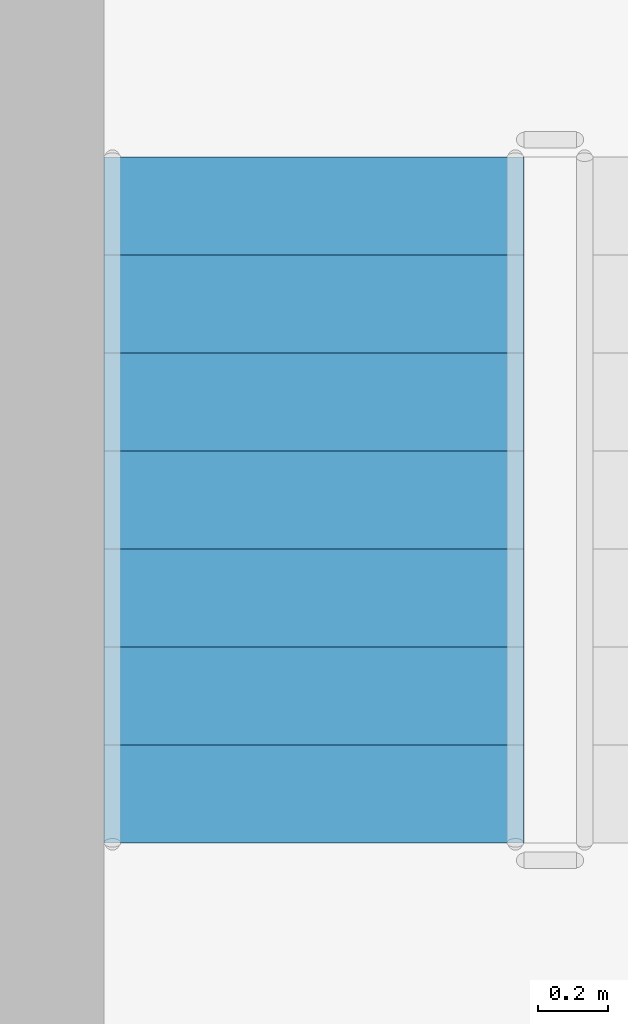
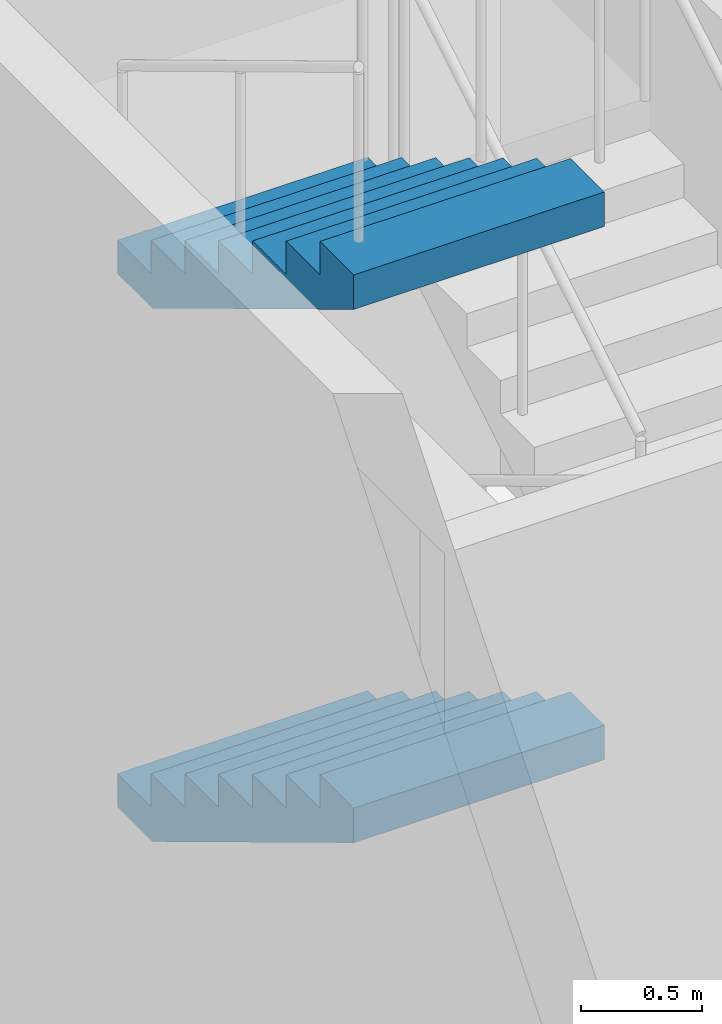
# One storey, part 47 of 101: 2 stair flights, 1 element without a shape of its own.
"""IFC4 building model written with IfcOpenShell, lengths in metres."""

from ifc_helpers import new_model, si_unit, direction, frame, origin, place, context, subcontext, project, spatial, triangles, material, type_object, element, aggregate, save


model = new_model("IFC4")

# Units and contexts
model_context = context("Model", 3, precision=1e-05, world=origin(), true_north=direction((0.0, 1.0)))
body_context = subcontext(model_context, "Body", "Model", "MODEL_VIEW")
ifc_project = project(units=[si_unit("LENGTHUNIT", "METRE"), si_unit("AREAUNIT", "SQUARE_METRE"), si_unit("VOLUMEUNIT", "CUBIC_METRE"), si_unit("PLANEANGLEUNIT", "RADIAN"), si_unit("MASSUNIT", "GRAM", prefix="KILO")], contexts=[model_context])

# Site, building, storey
site_placement = place(None, origin())
site = spatial("IfcSite", under=ifc_project, at=site_placement, CompositionType="ELEMENT")
building_placement = place(site_placement, origin())
building = spatial("IfcBuilding", under=site, at=building_placement, Name="Magnolia Steps Interchange", CompositionType="ELEMENT")
storey_placement = place(building_placement, frame((0.0, 0.0, -5.39990234375)))
storey = spatial("IfcBuildingStorey", under=building, at=storey_placement, Name="B1", CompositionType="ELEMENT", Elevation=-5.39990234375)

# Stair, stair flights
ifc_material_1 = material(Name="Concrete C40", Category="concrete")
stair_type = type_object("IfcStairType", Name="Exit stair 1200", PredefinedType="HALF_TURN_STAIR", material=ifc_material_1)
stair_placement = place(storey_placement, origin())
stair = element("IfcStair", 1, at=stair_placement, inside=storey, type_object=stair_type, Name="B1 Stair 19", PredefinedType="HALF_TURN_STAIR")
ifc_material_2 = material(Name="Concrete C40", Category="concrete")
stair_flight_type = type_object("IfcStairFlightType", Name="Exit stair flight", PredefinedType="STRAIGHT", material=ifc_material_2)
stair_flight_1_placement = place(storey_placement, frame((86.699951171875, 40.659912109375, 1.349853515625), z_axis=(0.0, 0.0, 1.0), x_axis=(0.0, -1.0, 0.0)))
stair_flight_1 = element("IfcStairFlight", 2, at=stair_flight_1_placement, type_object=stair_flight_type, Name="Stair 19 flight 2", NumberOfRisers=8, NumberOfTreads=7, PredefinedType="STRAIGHT", RiserHeight=0.16875, TreadLength=0.28, context=body_context, shape_type="Tessellation", body=[
    triangles([(0.0, -0.5999755859375, 0.0), (0.29052734375, -0.5999755859375, 0.0), (1.9599609375, -0.5999755859375, 1.00634765625), (1.9599609375, -0.5999755859375, 1.18115234375), (1.679931640625, -0.5999755859375, 1.18115234375), (1.679931640625, -0.5999755859375, 1.012451171875), (1.39990234375, -0.5999755859375, 1.012451171875), (1.39990234375, -0.5999755859375, 0.84375), (1.1201171875, -0.5999755859375, 0.84375), (1.1201171875, -0.5999755859375, 0.675048828125), (0.840087890625, -0.5999755859375, 0.675048828125), (0.840087890625, -0.5999755859375, 0.50634765625), (0.56005859375, -0.5999755859375, 0.50634765625), (0.56005859375, -0.5999755859375, 0.33740234375), (0.280029296875, -0.5999755859375, 0.33740234375), (0.280029296875, -0.5999755859375, 0.168701171875), (0.0, -0.5999755859375, 0.168701171875), (0.0, 0.5999755859375, 0.0), (0.29052734375, 0.5999755859375, 0.0), (1.9599609375, 0.5999755859375, 1.00634765625), (1.9599609375, 0.5999755859375, 1.18115234375), (1.679931640625, 0.5999755859375, 1.18115234375), (1.679931640625, 0.5999755859375, 1.012451171875), (1.39990234375, 0.5999755859375, 1.012451171875), (1.39990234375, 0.5999755859375, 0.84375), (1.1201171875, 0.5999755859375, 0.84375), (1.1201171875, 0.5999755859375, 0.675048828125), (0.840087890625, 0.5999755859375, 0.675048828125), (0.840087890625, 0.5999755859375, 0.50634765625), (0.56005859375, 0.5999755859375, 0.50634765625), (0.56005859375, 0.5999755859375, 0.33740234375), (0.280029296875, 0.5999755859375, 0.33740234375), (0.280029296875, 0.5999755859375, 0.168701171875), (0.0, 0.5999755859375, 0.168701171875), (0.0, 0.0, 0.0), (0.0, 0.0, 0.04217529296875), (0.0, 0.0, 0.0843505859375), (0.0, 0.0, 0.12652587890625), (0.0, 0.0, 0.168701171875), (0.0, -0.05, 0.0), (0.0, -0.05, 0.168701171875), (0.0, 0.05, 0.0), (0.0, 0.05, 0.168701171875), (0.046671549479166664, 0.0, 0.168701171875), (0.09334309895833333, 0.0, 0.168701171875), (0.1400146484375, 0.0, 0.168701171875), (0.18668619791666666, 0.0, 0.168701171875), (0.23335774739583334, 0.0, 0.168701171875), (0.280029296875, 0.0, 0.168701171875), (0.280029296875, -0.05, 0.168701171875), (0.280029296875, 0.05, 0.168701171875), (0.280029296875, 0.0, 0.21087646484375), (0.280029296875, 0.0, 0.2530517578125), (0.280029296875, 0.0, 0.29522705078125), (0.280029296875, 0.0, 0.33740234375), (0.280029296875, -0.05, 0.33740234375), (0.280029296875, 0.05, 0.33740234375), (0.3267008463541667, 0.0, 0.33740234375), (0.3733723958333333, 0.0, 0.33740234375), (0.4200439453125, 0.0, 0.33740234375), (0.46671549479166663, 0.0, 0.33740234375), (0.5133870442708334, 0.0, 0.33740234375), (0.56005859375, 0.0, 0.33740234375), (0.56005859375, -0.05, 0.33740234375), (0.56005859375, 0.05, 0.33740234375), (0.56005859375, 0.0, 0.379638671875), (0.56005859375, 0.0, 0.421875), (0.56005859375, 0.0, 0.464111328125), (0.56005859375, 0.0, 0.50634765625), (0.56005859375, -0.05, 0.50634765625), (0.56005859375, 0.05, 0.50634765625), (0.6067301432291666, 0.0, 0.50634765625), (0.6534016927083334, 0.0, 0.50634765625), (0.7000732421875, 0.0, 0.50634765625), (0.7467447916666666, 0.0, 0.50634765625), (0.7934163411458334, 0.0, 0.50634765625), (0.840087890625, 0.0, 0.50634765625), (0.840087890625, -0.05, 0.50634765625), (0.840087890625, 0.05, 0.50634765625), (0.840087890625, 0.0, 0.54852294921875), (0.840087890625, 0.0, 0.5906982421875), (0.840087890625, 0.0, 0.63287353515625), (0.840087890625, 0.0, 0.675048828125), (0.840087890625, -0.05, 0.675048828125), (0.840087890625, 0.05, 0.675048828125), (0.8867594401041666, 0.0, 0.675048828125), (0.9334309895833334, 0.0, 0.675048828125), (0.9801025390625, 0.0, 0.675048828125), (1.0267740885416667, 0.0, 0.675048828125), (1.0734456380208333, 0.0, 0.675048828125), (1.1201171875, 0.0, 0.675048828125), (1.1201171875, -0.05, 0.675048828125), (1.1201171875, 0.05, 0.675048828125), (1.1201171875, 0.0, 0.71722412109375), (1.1201171875, 0.0, 0.7593994140625), (1.1201171875, 0.0, 0.80157470703125), (1.1201171875, 0.0, 0.84375), (1.1201171875, -0.05, 0.84375), (1.1201171875, 0.05, 0.84375), (1.1900634765625, 0.0, 0.84375), (1.260009765625, 0.0, 0.84375), (1.3299560546875, 0.0, 0.84375), (1.39990234375, 0.0, 0.84375), (1.39990234375, -0.05, 0.84375), (1.39990234375, 0.05, 0.84375), (1.39990234375, 0.0, 0.88592529296875), (1.39990234375, 0.0, 0.9281005859375), (1.39990234375, 0.0, 0.97027587890625), (1.39990234375, 0.0, 1.012451171875), (1.39990234375, -0.05, 1.012451171875), (1.39990234375, 0.05, 1.012451171875), (1.4465738932291667, 0.0, 1.012451171875), (1.4932454427083333, 0.0, 1.012451171875), (1.5399169921875, 0.0, 1.012451171875), (1.5865885416666667, 0.0, 1.012451171875), (1.6332600911458333, 0.0, 1.012451171875), (1.679931640625, 0.0, 1.012451171875), (1.679931640625, -0.05, 1.012451171875), (1.679931640625, 0.05, 1.012451171875), (1.679931640625, 0.0, 1.05462646484375), (1.679931640625, 0.0, 1.0968017578125), (1.679931640625, 0.0, 1.13897705078125), (1.679931640625, 0.0, 1.18115234375), (1.679931640625, -0.05, 1.18115234375), (1.679931640625, 0.05, 1.18115234375), (1.7266031901041667, 0.0, 1.18115234375), (1.7732747395833333, 0.0, 1.18115234375), (1.8199462890625, 0.0, 1.18115234375), (1.8666178385416667, 0.0, 1.18115234375), (1.9132893880208333, 0.0, 1.18115234375), (1.9599609375, 0.0, 1.18115234375), (1.9599609375, -0.05, 1.18115234375), (1.9599609375, 0.05, 1.18115234375), (1.9599609375, 0.0, 1.137451171875), (1.9599609375, 0.0, 1.09375), (1.9599609375, 0.0, 1.050048828125), (1.9599609375, 0.0, 1.00634765625), (1.9599609375, -0.05, 1.00634765625), (1.9599609375, 0.05, 1.00634765625), (1.9003383091517858, 0.0, 0.9704066685267857), (1.8407156808035714, 0.0, 0.9344656808035714), (1.7810930524553572, 0.0, 0.8985246930803571), (1.7214704241071428, 0.0, 0.8625837053571428), (1.6618477957589286, 0.0, 0.8266427176339286), (1.6022251674107144, 0.0, 0.7907017299107143), (1.5426025390625, 0.0, 0.7547607421875), (1.4829799107142856, 0.0, 0.7188197544642857), (1.4233572823660714, 0.0, 0.6828787667410714), (1.3637346540178572, 0.0, 0.6469377790178572), (1.3041120256696428, 0.0, 0.6109967912946428), (1.2444893973214286, 0.0, 0.5750558035714286), (1.1848667689732144, 0.0, 0.5391148158482143), (1.125244140625, 0.0, 0.503173828125), (1.0656215122767856, 0.0, 0.4672328404017857), (1.0059988839285714, 0.0, 0.4312918526785714), (0.9463762555803572, 0.0, 0.3953508649553571), (0.8867536272321428, 0.0, 0.3594098772321429), (0.8271309988839286, 0.0, 0.3234688895089286), (0.7675083705357142, 0.0, 0.2875279017857143), (0.7078857421875, 0.0, 0.2515869140625), (0.6482631138392858, 0.0, 0.2156459263392857), (0.5886404854910714, 0.0, 0.1797049386160714), (0.5290178571428572, 0.0, 0.1437639508928571), (0.4693952287946428, 0.0, 0.1078229631696429), (0.4097726004464286, 0.0, 0.0718819754464286), (0.3501499720982142, 0.0, 0.0359409877232143), (0.29052734375, 0.0, 0.0), (0.29052734375, -0.05, 0.0), (0.29052734375, 0.05, 0.0), (0.24210611979166666, 0.0, 0.0), (0.19368489583333331, 0.0, 0.0), (0.145263671875, 0.0, 0.0), (0.09684244791666666, 0.0, 0.0), (0.04842122395833334, 0.0, 0.0)], [[1, 2, 3], [3, 4, 5], [3, 5, 6], [3, 6, 7], [3, 7, 8], [8, 9, 10], [3, 8, 10], [10, 11, 12], [3, 10, 12], [12, 13, 14], [3, 12, 14], [14, 15, 16], [3, 14, 16], [1, 3, 16], [16, 17, 1], [18, 20, 19], [20, 22, 21], [20, 23, 22], [20, 24, 23], [20, 25, 24], [25, 27, 26], [20, 27, 25], [27, 29, 28], [20, 29, 27], [29, 31, 30], [20, 31, 29], [31, 33, 32], [20, 33, 31], [18, 33, 20], [33, 18, 34], [1, 17, 41], [1, 41, 40], [40, 36, 35], [40, 37, 36], [40, 41, 37], [41, 38, 37], [41, 39, 38], [18, 43, 34], [18, 42, 43], [42, 35, 36], [42, 36, 37], [42, 37, 43], [43, 37, 38], [43, 38, 39], [17, 16, 50], [17, 50, 41], [41, 44, 39], [41, 45, 44], [41, 46, 45], [41, 50, 46], [50, 47, 46], [50, 48, 47], [50, 49, 48], [34, 51, 33], [34, 43, 51], [43, 39, 44], [43, 44, 45], [43, 45, 46], [43, 46, 51], [51, 46, 47], [51, 47, 48], [51, 48, 49], [16, 15, 56], [16, 56, 50], [50, 52, 49], [50, 53, 52], [50, 56, 53], [56, 54, 53], [56, 55, 54], [33, 57, 32], [33, 51, 57], [51, 49, 52], [51, 52, 53], [51, 53, 57], [57, 53, 54], [57, 54, 55], [15, 14, 64], [15, 64, 56], [56, 58, 55], [56, 59, 58], [56, 60, 59], [56, 64, 60], [64, 61, 60], [64, 62, 61], [64, 63, 62], [32, 65, 31], [32, 57, 65], [57, 55, 58], [57, 58, 59], [57, 59, 60], [57, 60, 65], [65, 60, 61], [65, 61, 62], [65, 62, 63], [14, 13, 70], [14, 70, 64], [64, 66, 63], [64, 67, 66], [64, 70, 67], [70, 68, 67], [70, 69, 68], [31, 71, 30], [31, 65, 71], [65, 63, 66], [65, 66, 67], [65, 67, 71], [71, 67, 68], [71, 68, 69], [13, 12, 78], [13, 78, 70], [70, 72, 69], [70, 73, 72], [70, 74, 73], [70, 78, 74], [78, 75, 74], [78, 76, 75], [78, 77, 76], [30, 79, 29], [30, 71, 79], [71, 69, 72], [71, 72, 73], [71, 73, 74], [71, 74, 79], [79, 74, 75], [79, 75, 76], [79, 76, 77], [12, 11, 84], [12, 84, 78], [78, 80, 77], [78, 81, 80], [78, 84, 81], [84, 82, 81], [84, 83, 82], [29, 85, 28], [29, 79, 85], [79, 77, 80], [79, 80, 81], [79, 81, 85], [85, 81, 82], [85, 82, 83], [11, 10, 92], [11, 92, 84], [84, 86, 83], [84, 87, 86], [84, 88, 87], [84, 92, 88], [92, 89, 88], [92, 90, 89], [92, 91, 90], [28, 93, 27], [28, 85, 93], [85, 83, 86], [85, 86, 87], [85, 87, 88], [85, 88, 93], [93, 88, 89], [93, 89, 90], [93, 90, 91], [10, 9, 98], [10, 98, 92], [92, 94, 91], [92, 95, 94], [92, 98, 95], [98, 96, 95], [98, 97, 96], [27, 99, 26], [27, 93, 99], [93, 91, 94], [93, 94, 95], [93, 95, 99], [99, 95, 96], [99, 96, 97], [9, 8, 104], [9, 104, 98], [98, 100, 97], [98, 101, 100], [98, 104, 101], [104, 102, 101], [104, 103, 102], [26, 105, 25], [26, 99, 105], [99, 97, 100], [99, 100, 101], [99, 101, 105], [105, 101, 102], [105, 102, 103], [8, 7, 110], [8, 110, 104], [104, 106, 103], [104, 107, 106], [104, 110, 107], [110, 108, 107], [110, 109, 108], [25, 111, 24], [25, 105, 111], [105, 103, 106], [105, 106, 107], [105, 107, 111], [111, 107, 108], [111, 108, 109], [7, 6, 118], [7, 118, 110], [110, 112, 109], [110, 113, 112], [110, 114, 113], [110, 118, 114], [118, 115, 114], [118, 116, 115], [118, 117, 116], [24, 119, 23], [24, 111, 119], [111, 109, 112], [111, 112, 113], [111, 113, 114], [111, 114, 119], [119, 114, 115], [119, 115, 116], [119, 116, 117], [6, 5, 124], [6, 124, 118], [118, 120, 117], [118, 121, 120], [118, 124, 121], [124, 122, 121], [124, 123, 122], [23, 125, 22], [23, 119, 125], [119, 117, 120], [119, 120, 121], [119, 121, 125], [125, 121, 122], [125, 122, 123], [5, 4, 132], [5, 132, 124], [124, 126, 123], [124, 127, 126], [124, 128, 127], [124, 132, 128], [132, 129, 128], [132, 130, 129], [132, 131, 130], [22, 133, 21], [22, 125, 133], [125, 123, 126], [125, 126, 127], [125, 127, 128], [125, 128, 133], [133, 128, 129], [133, 129, 130], [133, 130, 131], [4, 3, 138], [4, 138, 132], [132, 134, 131], [132, 135, 134], [132, 138, 135], [138, 136, 135], [138, 137, 136], [21, 139, 20], [21, 133, 139], [133, 131, 134], [133, 134, 135], [133, 135, 139], [139, 135, 136], [139, 136, 137], [3, 2, 168], [3, 168, 138], [138, 140, 137], [138, 141, 140], [138, 142, 141], [138, 143, 142], [138, 144, 143], [138, 145, 144], [138, 146, 145], [138, 147, 146], [138, 148, 147], [138, 149, 148], [138, 150, 149], [138, 151, 150], [138, 152, 151], [138, 153, 152], [138, 168, 153], [168, 154, 153], [168, 155, 154], [168, 156, 155], [168, 157, 156], [168, 158, 157], [168, 159, 158], [168, 160, 159], [168, 161, 160], [168, 162, 161], [168, 163, 162], [168, 164, 163], [168, 165, 164], [168, 166, 165], [168, 167, 166], [20, 169, 19], [20, 139, 169], [139, 137, 140], [139, 140, 141], [139, 141, 142], [139, 142, 143], [139, 143, 144], [139, 144, 145], [139, 145, 146], [139, 146, 147], [139, 147, 148], [139, 148, 149], [139, 149, 150], [139, 150, 151], [139, 151, 152], [139, 152, 153], [139, 153, 169], [169, 153, 154], [169, 154, 155], [169, 155, 156], [169, 156, 157], [169, 157, 158], [169, 158, 159], [169, 159, 160], [169, 160, 161], [169, 161, 162], [169, 162, 163], [169, 163, 164], [169, 164, 165], [169, 165, 166], [169, 166, 167], [2, 1, 40], [2, 40, 168], [168, 170, 167], [168, 171, 170], [168, 172, 171], [168, 40, 172], [40, 173, 172], [40, 174, 173], [40, 35, 174], [19, 42, 18], [19, 169, 42], [169, 167, 170], [169, 170, 171], [169, 171, 172], [169, 172, 42], [42, 172, 173], [42, 173, 174], [42, 174, 35]], closed=True),
])
stair_flight_2_placement = place(storey_placement, frame((86.699951171875, 40.659912109375, 4.0498046875), z_axis=(0.0, 0.0, 1.0), x_axis=(0.0, -1.0, 0.0)))
stair_flight_2 = element("IfcStairFlight", 3, at=stair_flight_2_placement, type_object=stair_flight_type, Name="Stair 19 flight 4", NumberOfRisers=8, NumberOfTreads=7, PredefinedType="STRAIGHT", RiserHeight=0.16875, TreadLength=0.28, context=body_context, shape_type="Tessellation", body=[
    triangles([(0.0, -0.5999755859375, 0.0), (0.29052734375, -0.5999755859375, 0.0), (1.9599609375, -0.5999755859375, 1.00634765625), (1.9599609375, -0.5999755859375, 1.18115234375), (1.679931640625, -0.5999755859375, 1.18115234375), (1.679931640625, -0.5999755859375, 1.012451171875), (1.39990234375, -0.5999755859375, 1.012451171875), (1.39990234375, -0.5999755859375, 0.84375), (1.1201171875, -0.5999755859375, 0.84375), (1.1201171875, -0.5999755859375, 0.675048828125), (0.840087890625, -0.5999755859375, 0.675048828125), (0.840087890625, -0.5999755859375, 0.50634765625), (0.56005859375, -0.5999755859375, 0.50634765625), (0.56005859375, -0.5999755859375, 0.33740234375), (0.280029296875, -0.5999755859375, 0.33740234375), (0.280029296875, -0.5999755859375, 0.168701171875), (0.0, -0.5999755859375, 0.168701171875), (0.0, 0.5999755859375, 0.0), (0.29052734375, 0.5999755859375, 0.0), (1.9599609375, 0.5999755859375, 1.00634765625), (1.9599609375, 0.5999755859375, 1.18115234375), (1.679931640625, 0.5999755859375, 1.18115234375), (1.679931640625, 0.5999755859375, 1.012451171875), (1.39990234375, 0.5999755859375, 1.012451171875), (1.39990234375, 0.5999755859375, 0.84375), (1.1201171875, 0.5999755859375, 0.84375), (1.1201171875, 0.5999755859375, 0.675048828125), (0.840087890625, 0.5999755859375, 0.675048828125), (0.840087890625, 0.5999755859375, 0.50634765625), (0.56005859375, 0.5999755859375, 0.50634765625), (0.56005859375, 0.5999755859375, 0.33740234375), (0.280029296875, 0.5999755859375, 0.33740234375), (0.280029296875, 0.5999755859375, 0.168701171875), (0.0, 0.5999755859375, 0.168701171875), (0.0, 0.0, 0.0), (0.0, 0.0, 0.04217529296875), (0.0, 0.0, 0.0843505859375), (0.0, 0.0, 0.12652587890625), (0.0, 0.0, 0.168701171875), (0.0, -0.05, 0.0), (0.0, -0.05, 0.168701171875), (0.0, 0.05, 0.0), (0.0, 0.05, 0.168701171875), (0.046671549479166664, 0.0, 0.168701171875), (0.09334309895833333, 0.0, 0.168701171875), (0.1400146484375, 0.0, 0.168701171875), (0.18668619791666666, 0.0, 0.168701171875), (0.23335774739583334, 0.0, 0.168701171875), (0.280029296875, 0.0, 0.168701171875), (0.280029296875, -0.05, 0.168701171875), (0.280029296875, 0.05, 0.168701171875), (0.280029296875, 0.0, 0.21087646484375), (0.280029296875, 0.0, 0.2530517578125), (0.280029296875, 0.0, 0.29522705078125), (0.280029296875, 0.0, 0.33740234375), (0.280029296875, -0.05, 0.33740234375), (0.280029296875, 0.05, 0.33740234375), (0.3267008463541667, 0.0, 0.33740234375), (0.3733723958333333, 0.0, 0.33740234375), (0.4200439453125, 0.0, 0.33740234375), (0.46671549479166663, 0.0, 0.33740234375), (0.5133870442708334, 0.0, 0.33740234375), (0.56005859375, 0.0, 0.33740234375), (0.56005859375, -0.05, 0.33740234375), (0.56005859375, 0.05, 0.33740234375), (0.56005859375, 0.0, 0.379638671875), (0.56005859375, 0.0, 0.421875), (0.56005859375, 0.0, 0.464111328125), (0.56005859375, 0.0, 0.50634765625), (0.56005859375, -0.05, 0.50634765625), (0.56005859375, 0.05, 0.50634765625), (0.6067301432291666, 0.0, 0.50634765625), (0.6534016927083334, 0.0, 0.50634765625), (0.7000732421875, 0.0, 0.50634765625), (0.7467447916666666, 0.0, 0.50634765625), (0.7934163411458334, 0.0, 0.50634765625), (0.840087890625, 0.0, 0.50634765625), (0.840087890625, -0.05, 0.50634765625), (0.840087890625, 0.05, 0.50634765625), (0.840087890625, 0.0, 0.54852294921875), (0.840087890625, 0.0, 0.5906982421875), (0.840087890625, 0.0, 0.63287353515625), (0.840087890625, 0.0, 0.675048828125), (0.840087890625, -0.05, 0.675048828125), (0.840087890625, 0.05, 0.675048828125), (0.8867594401041666, 0.0, 0.675048828125), (0.9334309895833334, 0.0, 0.675048828125), (0.9801025390625, 0.0, 0.675048828125), (1.0267740885416667, 0.0, 0.675048828125), (1.0734456380208333, 0.0, 0.675048828125), (1.1201171875, 0.0, 0.675048828125), (1.1201171875, -0.05, 0.675048828125), (1.1201171875, 0.05, 0.675048828125), (1.1201171875, 0.0, 0.71722412109375), (1.1201171875, 0.0, 0.7593994140625), (1.1201171875, 0.0, 0.80157470703125), (1.1201171875, 0.0, 0.84375), (1.1201171875, -0.05, 0.84375), (1.1201171875, 0.05, 0.84375), (1.1900634765625, 0.0, 0.84375), (1.260009765625, 0.0, 0.84375), (1.3299560546875, 0.0, 0.84375), (1.39990234375, 0.0, 0.84375), (1.39990234375, -0.05, 0.84375), (1.39990234375, 0.05, 0.84375), (1.39990234375, 0.0, 0.88592529296875), (1.39990234375, 0.0, 0.9281005859375), (1.39990234375, 0.0, 0.97027587890625), (1.39990234375, 0.0, 1.012451171875), (1.39990234375, -0.05, 1.012451171875), (1.39990234375, 0.05, 1.012451171875), (1.4465738932291667, 0.0, 1.012451171875), (1.4932454427083333, 0.0, 1.012451171875), (1.5399169921875, 0.0, 1.012451171875), (1.5865885416666667, 0.0, 1.012451171875), (1.6332600911458333, 0.0, 1.012451171875), (1.679931640625, 0.0, 1.012451171875), (1.679931640625, -0.05, 1.012451171875), (1.679931640625, 0.05, 1.012451171875), (1.679931640625, 0.0, 1.05462646484375), (1.679931640625, 0.0, 1.0968017578125), (1.679931640625, 0.0, 1.13897705078125), (1.679931640625, 0.0, 1.18115234375), (1.679931640625, -0.05, 1.18115234375), (1.679931640625, 0.05, 1.18115234375), (1.7266031901041667, 0.0, 1.18115234375), (1.7732747395833333, 0.0, 1.18115234375), (1.8199462890625, 0.0, 1.18115234375), (1.8666178385416667, 0.0, 1.18115234375), (1.9132893880208333, 0.0, 1.18115234375), (1.9599609375, 0.0, 1.18115234375), (1.9599609375, -0.05, 1.18115234375), (1.9599609375, 0.05, 1.18115234375), (1.9599609375, 0.0, 1.137451171875), (1.9599609375, 0.0, 1.09375), (1.9599609375, 0.0, 1.050048828125), (1.9599609375, 0.0, 1.00634765625), (1.9599609375, -0.05, 1.00634765625), (1.9599609375, 0.05, 1.00634765625), (1.9003383091517858, 0.0, 0.9704066685267857), (1.8407156808035714, 0.0, 0.9344656808035714), (1.7810930524553572, 0.0, 0.8985246930803571), (1.7214704241071428, 0.0, 0.8625837053571428), (1.6618477957589286, 0.0, 0.8266427176339286), (1.6022251674107144, 0.0, 0.7907017299107143), (1.5426025390625, 0.0, 0.7547607421875), (1.4829799107142856, 0.0, 0.7188197544642857), (1.4233572823660714, 0.0, 0.6828787667410714), (1.3637346540178572, 0.0, 0.6469377790178572), (1.3041120256696428, 0.0, 0.6109967912946428), (1.2444893973214286, 0.0, 0.5750558035714286), (1.1848667689732144, 0.0, 0.5391148158482143), (1.125244140625, 0.0, 0.503173828125), (1.0656215122767856, 0.0, 0.4672328404017857), (1.0059988839285714, 0.0, 0.4312918526785714), (0.9463762555803572, 0.0, 0.3953508649553571), (0.8867536272321428, 0.0, 0.3594098772321429), (0.8271309988839286, 0.0, 0.3234688895089286), (0.7675083705357142, 0.0, 0.2875279017857143), (0.7078857421875, 0.0, 0.2515869140625), (0.6482631138392858, 0.0, 0.2156459263392857), (0.5886404854910714, 0.0, 0.1797049386160714), (0.5290178571428572, 0.0, 0.1437639508928571), (0.4693952287946428, 0.0, 0.1078229631696429), (0.4097726004464286, 0.0, 0.0718819754464286), (0.3501499720982142, 0.0, 0.0359409877232143), (0.29052734375, 0.0, 0.0), (0.29052734375, -0.05, 0.0), (0.29052734375, 0.05, 0.0), (0.24210611979166666, 0.0, 0.0), (0.19368489583333331, 0.0, 0.0), (0.145263671875, 0.0, 0.0), (0.09684244791666666, 0.0, 0.0), (0.04842122395833334, 0.0, 0.0)], [[1, 2, 3], [3, 4, 5], [3, 5, 6], [3, 6, 7], [3, 7, 8], [8, 9, 10], [3, 8, 10], [10, 11, 12], [3, 10, 12], [12, 13, 14], [3, 12, 14], [14, 15, 16], [3, 14, 16], [1, 3, 16], [16, 17, 1], [18, 20, 19], [20, 22, 21], [20, 23, 22], [20, 24, 23], [20, 25, 24], [25, 27, 26], [20, 27, 25], [27, 29, 28], [20, 29, 27], [29, 31, 30], [20, 31, 29], [31, 33, 32], [20, 33, 31], [18, 33, 20], [33, 18, 34], [1, 17, 41], [1, 41, 40], [40, 36, 35], [40, 37, 36], [40, 41, 37], [41, 38, 37], [41, 39, 38], [18, 43, 34], [18, 42, 43], [42, 35, 36], [42, 36, 37], [42, 37, 43], [43, 37, 38], [43, 38, 39], [17, 16, 50], [17, 50, 41], [41, 44, 39], [41, 45, 44], [41, 46, 45], [41, 50, 46], [50, 47, 46], [50, 48, 47], [50, 49, 48], [34, 51, 33], [34, 43, 51], [43, 39, 44], [43, 44, 45], [43, 45, 46], [43, 46, 51], [51, 46, 47], [51, 47, 48], [51, 48, 49], [16, 15, 56], [16, 56, 50], [50, 52, 49], [50, 53, 52], [50, 56, 53], [56, 54, 53], [56, 55, 54], [33, 57, 32], [33, 51, 57], [51, 49, 52], [51, 52, 53], [51, 53, 57], [57, 53, 54], [57, 54, 55], [15, 14, 64], [15, 64, 56], [56, 58, 55], [56, 59, 58], [56, 60, 59], [56, 64, 60], [64, 61, 60], [64, 62, 61], [64, 63, 62], [32, 65, 31], [32, 57, 65], [57, 55, 58], [57, 58, 59], [57, 59, 60], [57, 60, 65], [65, 60, 61], [65, 61, 62], [65, 62, 63], [14, 13, 70], [14, 70, 64], [64, 66, 63], [64, 67, 66], [64, 70, 67], [70, 68, 67], [70, 69, 68], [31, 71, 30], [31, 65, 71], [65, 63, 66], [65, 66, 67], [65, 67, 71], [71, 67, 68], [71, 68, 69], [13, 12, 78], [13, 78, 70], [70, 72, 69], [70, 73, 72], [70, 74, 73], [70, 78, 74], [78, 75, 74], [78, 76, 75], [78, 77, 76], [30, 79, 29], [30, 71, 79], [71, 69, 72], [71, 72, 73], [71, 73, 74], [71, 74, 79], [79, 74, 75], [79, 75, 76], [79, 76, 77], [12, 11, 84], [12, 84, 78], [78, 80, 77], [78, 81, 80], [78, 84, 81], [84, 82, 81], [84, 83, 82], [29, 85, 28], [29, 79, 85], [79, 77, 80], [79, 80, 81], [79, 81, 85], [85, 81, 82], [85, 82, 83], [11, 10, 92], [11, 92, 84], [84, 86, 83], [84, 87, 86], [84, 88, 87], [84, 92, 88], [92, 89, 88], [92, 90, 89], [92, 91, 90], [28, 93, 27], [28, 85, 93], [85, 83, 86], [85, 86, 87], [85, 87, 88], [85, 88, 93], [93, 88, 89], [93, 89, 90], [93, 90, 91], [10, 9, 98], [10, 98, 92], [92, 94, 91], [92, 95, 94], [92, 98, 95], [98, 96, 95], [98, 97, 96], [27, 99, 26], [27, 93, 99], [93, 91, 94], [93, 94, 95], [93, 95, 99], [99, 95, 96], [99, 96, 97], [9, 8, 104], [9, 104, 98], [98, 100, 97], [98, 101, 100], [98, 104, 101], [104, 102, 101], [104, 103, 102], [26, 105, 25], [26, 99, 105], [99, 97, 100], [99, 100, 101], [99, 101, 105], [105, 101, 102], [105, 102, 103], [8, 7, 110], [8, 110, 104], [104, 106, 103], [104, 107, 106], [104, 110, 107], [110, 108, 107], [110, 109, 108], [25, 111, 24], [25, 105, 111], [105, 103, 106], [105, 106, 107], [105, 107, 111], [111, 107, 108], [111, 108, 109], [7, 6, 118], [7, 118, 110], [110, 112, 109], [110, 113, 112], [110, 114, 113], [110, 118, 114], [118, 115, 114], [118, 116, 115], [118, 117, 116], [24, 119, 23], [24, 111, 119], [111, 109, 112], [111, 112, 113], [111, 113, 114], [111, 114, 119], [119, 114, 115], [119, 115, 116], [119, 116, 117], [6, 5, 124], [6, 124, 118], [118, 120, 117], [118, 121, 120], [118, 124, 121], [124, 122, 121], [124, 123, 122], [23, 125, 22], [23, 119, 125], [119, 117, 120], [119, 120, 121], [119, 121, 125], [125, 121, 122], [125, 122, 123], [5, 4, 132], [5, 132, 124], [124, 126, 123], [124, 127, 126], [124, 128, 127], [124, 132, 128], [132, 129, 128], [132, 130, 129], [132, 131, 130], [22, 133, 21], [22, 125, 133], [125, 123, 126], [125, 126, 127], [125, 127, 128], [125, 128, 133], [133, 128, 129], [133, 129, 130], [133, 130, 131], [4, 3, 138], [4, 138, 132], [132, 134, 131], [132, 135, 134], [132, 138, 135], [138, 136, 135], [138, 137, 136], [21, 139, 20], [21, 133, 139], [133, 131, 134], [133, 134, 135], [133, 135, 139], [139, 135, 136], [139, 136, 137], [3, 2, 168], [3, 168, 138], [138, 140, 137], [138, 141, 140], [138, 142, 141], [138, 143, 142], [138, 144, 143], [138, 145, 144], [138, 146, 145], [138, 147, 146], [138, 148, 147], [138, 149, 148], [138, 150, 149], [138, 151, 150], [138, 152, 151], [138, 153, 152], [138, 168, 153], [168, 154, 153], [168, 155, 154], [168, 156, 155], [168, 157, 156], [168, 158, 157], [168, 159, 158], [168, 160, 159], [168, 161, 160], [168, 162, 161], [168, 163, 162], [168, 164, 163], [168, 165, 164], [168, 166, 165], [168, 167, 166], [20, 169, 19], [20, 139, 169], [139, 137, 140], [139, 140, 141], [139, 141, 142], [139, 142, 143], [139, 143, 144], [139, 144, 145], [139, 145, 146], [139, 146, 147], [139, 147, 148], [139, 148, 149], [139, 149, 150], [139, 150, 151], [139, 151, 152], [139, 152, 153], [139, 153, 169], [169, 153, 154], [169, 154, 155], [169, 155, 156], [169, 156, 157], [169, 157, 158], [169, 158, 159], [169, 159, 160], [169, 160, 161], [169, 161, 162], [169, 162, 163], [169, 163, 164], [169, 164, 165], [169, 165, 166], [169, 166, 167], [2, 1, 40], [2, 40, 168], [168, 170, 167], [168, 171, 170], [168, 172, 171], [168, 40, 172], [40, 173, 172], [40, 174, 173], [40, 35, 174], [19, 42, 18], [19, 169, 42], [169, 167, 170], [169, 170, 171], [169, 171, 172], [169, 172, 42], [42, 172, 173], [42, 173, 174], [42, 174, 35]], closed=True),
])
aggregate(stair, [stair_flight_1, stair_flight_2])

save(model, "model.ifc")
